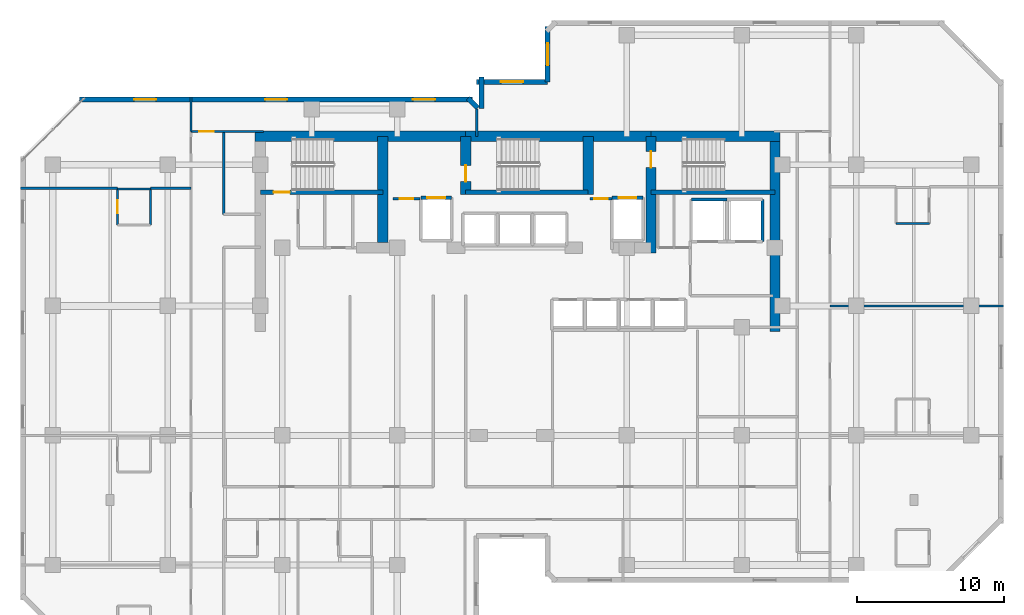
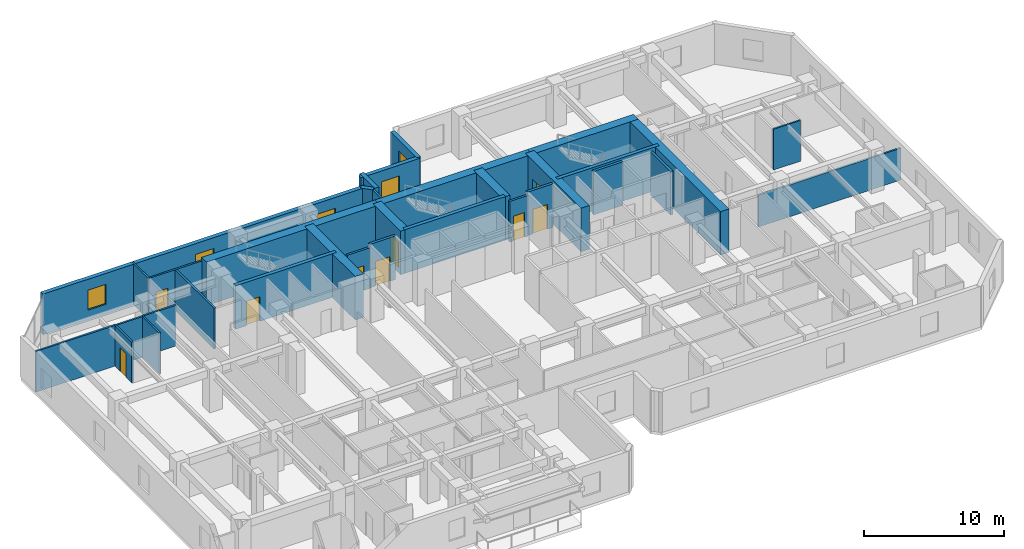
# One storey, part 8 of 11: 33 walls, 9 doors, 5 windows, 14 openings.
"""IFC4 building model written with IfcOpenShell, lengths in metres."""

from ifc_helpers import new_model, si_unit, direction, frame, frame_2d, origin, place, context, subcontext, project, spatial, rectangle, extrude, material, layer, layer_set, type_object, element, fill, save


model = new_model("IFC4")

# Units and contexts
model_context = context("Model", 3, precision=1e-05, world=origin(), true_north=direction((0.0, 1.0)))
body_context = subcontext(model_context, "Body", "Model", "MODEL_VIEW")
ifc_project = project(units=[si_unit("LENGTHUNIT", "METRE"), si_unit("AREAUNIT", "SQUARE_METRE"), si_unit("VOLUMEUNIT", "CUBIC_METRE"), si_unit("PLANEANGLEUNIT", "RADIAN"), si_unit("MASSUNIT", "GRAM", prefix="KILO")], contexts=[model_context])

# Site, building, storey
site_placement = place(None, origin())
site = spatial("IfcSite", under=ifc_project, at=site_placement, CompositionType="ELEMENT")
building_placement = place(site_placement, origin())
building = spatial("IfcBuilding", under=site, at=building_placement, Name="Kestravale Grand Hotel", CompositionType="ELEMENT")
storey_placement = place(building_placement, frame((0.0, 0.0, 168.800048828125)))
storey = spatial("IfcBuildingStorey", under=building, at=storey_placement, Name="L42", CompositionType="ELEMENT", Elevation=168.800048828125)

# Walls
ifc_material_1 = material(Name="Concrete f'c 60 MPa", Category="concrete")
ifc_layer_1 = layer(ifc_material_1, 0.699951171875)
ifc_layer_set_1 = layer_set([ifc_layer_1], Name="EW-CORE-700")
wall_type_1 = type_object("IfcWallType", Name="EW-CORE-700", PredefinedType="SHEAR", material=ifc_layer_set_1)
wall_1_placement = place(storey_placement, frame((21.550048828125, 40.320068359375, 0.0), z_axis=(0.0, 0.0, 1.0), x_axis=(1.0, 0.0, 0.0)))
element("IfcWall", 1, at=wall_1_placement, inside=storey, type_object=wall_type_1, Name="L42 core shear wall N1", PredefinedType="SHEAR", context=body_context, shape_type="SweptSolid", body=[
    extrude(rectangle(XDim=14.300048828125, YDim=0.699951171875, at=frame_2d((7.14990234375, 0.0))), origin(), (0.0, 0.0, 1.0), 3.800048828125),
])
wall_2_placement = place(storey_placement, frame((35.85009765625, 40.320068359375, 0.0), z_axis=(0.0, 0.0, 1.0), x_axis=(1.0, 0.0, 0.0)))
element("IfcWall", 2, at=wall_2_placement, inside=storey, type_object=wall_type_1, Name="L42 core shear wall N2", PredefinedType="SHEAR", context=body_context, shape_type="SweptSolid", body=[
    extrude(rectangle(XDim=12.599853515625, YDim=0.699951171875, at=frame_2d((6.2998046875, 0.0))), origin(), (0.0, 0.0, 1.0), 3.800048828125),
])
wall_3_placement = place(storey_placement, frame((48.449951171875, 40.320068359375, 0.0), z_axis=(0.0, 0.0, 1.0), x_axis=(1.0, 0.0, 0.0)))
element("IfcWall", 3, at=wall_3_placement, inside=storey, type_object=wall_type_1, Name="L42 core shear wall N3", PredefinedType="SHEAR", context=body_context, shape_type="SweptSolid", body=[
    extrude(rectangle(XDim=8.77001953125, YDim=0.699951171875, at=frame_2d((4.385009765625, 0.0))), origin(), (0.0, 0.0, 1.0), 3.800048828125),
])
wall_4_placement = place(storey_placement, frame((56.8701171875, 27.050048828125, 0.0), z_axis=(0.0, 0.0, 1.0), x_axis=(0.0, 1.0, 0.0)))
element("IfcWall", 4, at=wall_4_placement, inside=storey, type_object=wall_type_1, Name="L42 core shear wall E1", PredefinedType="SHEAR", context=body_context, shape_type="SweptSolid", body=[
    extrude(rectangle(XDim=13.619873046875, YDim=0.699951171875, at=frame_2d((6.81005859375, 0.0))), origin(), (0.0, 0.0, 1.0), 3.800048828125),
])
wall_5_placement = place(storey_placement, frame((30.219970703125, 33.10009765625, 0.0), z_axis=(0.0, 0.0, 1.0), x_axis=(0.0, 1.0, 0.0)))
element("IfcWall", 5, at=wall_5_placement, inside=storey, type_object=wall_type_1, Name="L42 core shear wall X1", PredefinedType="SHEAR", context=body_context, shape_type="SweptSolid", body=[
    extrude(rectangle(XDim=7.219970703125, YDim=0.699951171875, at=frame_2d((3.60986328125, 0.0))), origin(), (0.0, 0.0, 1.0), 3.800048828125),
])

# Wall, opening, door
wall_6_placement = place(storey_placement, frame((35.85009765625, 36.3701171875, 0.0), z_axis=(0.0, 0.0, 1.0), x_axis=(0.0, 1.0, 0.0)))
wall_6 = element("IfcWall", 6, at=wall_6_placement, inside=storey, type_object=wall_type_1, Name="L42 core shear wall X2", PredefinedType="SHEAR", context=body_context, shape_type="SweptSolid", body=[
    extrude(rectangle(XDim=3.949951171875, YDim=0.699951171875, at=frame_2d((1.97509765625, 0.0))), origin(), (0.0, 0.0, 1.0), 3.800048828125),
])
opening_1_placement = place(wall_6_placement, frame((0.8798828125, 0.0, 0.0)))
opening_1 = element("IfcOpeningElement", 7, at=opening_1_placement, cuts=wall_6, Name="Opening D-ST-1100", PredefinedType="OPENING", context=body_context, shape_type="SweptSolid", body=[
    extrude(rectangle(XDim=1.10009765625, YDim=2.14990234375, at=frame_2d((0.550048828125, 1.074951171875))), frame((0.0, 0.35986328125, 0.0), z_axis=(0.0, -1.0, 0.0), x_axis=(1.0, 0.0, 0.0)), (0.0, 0.0, 1.0), 0.719970703125),
])
ifc_material_2 = material(Name="Galvanised 90-minute fire-rated steel stair door", Category="steel")
door_type_1 = type_object("IfcDoorType", Name="D-ST-1100", OperationType="NOTDEFINED", PredefinedType="DOOR", material=ifc_material_2)
door_1_placement = place(opening_1_placement, origin())
door_1 = element("IfcDoor", 8, at=door_1_placement, inside=storey, type_object=door_type_1, Name="L42 Stair ST-2 FSAE fire door", OperationType="SINGLE_SWING_RIGHT", OverallHeight=2.14990234375, OverallWidth=1.10009765625, PredefinedType="DOOR", context=body_context, shape_type="SweptSolid", body=[
    extrude(rectangle(XDim=1.10009765625, YDim=2.14990234375, at=frame_2d((0.550048828125, 1.074951171875))), frame((0.0, 0.02490234375, 0.0), z_axis=(0.0, -1.0, 0.0), x_axis=(1.0, 0.0, 0.0)), (0.0, 0.0, 1.0), 0.050048828125),
])
fill(opening_1, door_1)

# Wall
wall_7_placement = place(storey_placement, frame((44.179931640625, 36.3701171875, 0.0), z_axis=(0.0, 0.0, 1.0), x_axis=(0.0, 1.0, 0.0)))
element("IfcWall", 9, at=wall_7_placement, inside=storey, type_object=wall_type_1, Name="L42 core shear wall X3", PredefinedType="SHEAR", context=body_context, shape_type="SweptSolid", body=[
    extrude(rectangle(XDim=3.949951171875, YDim=0.699951171875, at=frame_2d((1.97509765625, 0.0))), origin(), (0.0, 0.0, 1.0), 3.800048828125),
])

# Wall, opening, door
wall_8_placement = place(storey_placement, frame((48.449951171875, 32.39990234375, 0.0), z_axis=(0.0, 0.0, 1.0), x_axis=(0.0, 1.0, 0.0)))
wall_8 = element("IfcWall", 10, at=wall_8_placement, inside=storey, type_object=wall_type_1, Name="L42 core shear wall X4", PredefinedType="SHEAR", context=body_context, shape_type="SweptSolid", body=[
    extrude(rectangle(XDim=7.920166015625, YDim=0.699951171875, at=frame_2d((3.9599609375, 0.0))), origin(), (0.0, 0.0, 1.0), 3.800048828125),
])
opening_2_placement = place(wall_8_placement, frame((5.800048828125, 0.0, 0.0)))
opening_2 = element("IfcOpeningElement", 11, at=opening_2_placement, cuts=wall_8, Name="Opening D-ST-1100", PredefinedType="OPENING", context=body_context, shape_type="SweptSolid", body=[
    extrude(rectangle(XDim=1.10009765625, YDim=2.14990234375, at=frame_2d((0.550048828125, 1.074951171875))), frame((0.0, 0.35986328125, 0.0), z_axis=(0.0, -1.0, 0.0), x_axis=(1.0, 0.0, 0.0)), (0.0, 0.0, 1.0), 0.719970703125),
])
door_2_placement = place(opening_2_placement, origin())
door_2 = element("IfcDoor", 12, at=door_2_placement, inside=storey, type_object=door_type_1, Name="L42 Stair ST-3 FSAE fire door", OperationType="SINGLE_SWING_RIGHT", OverallHeight=2.14990234375, OverallWidth=1.10009765625, PredefinedType="DOOR", context=body_context, shape_type="SweptSolid", body=[
    extrude(rectangle(XDim=1.10009765625, YDim=2.14990234375, at=frame_2d((0.550048828125, 1.074951171875))), frame((0.0, 0.02490234375, 0.0), z_axis=(0.0, -1.0, 0.0), x_axis=(1.0, 0.0, 0.0)), (0.0, 0.0, 1.0), 0.050048828125),
])
fill(opening_2, door_2)

# Wall, opening, window
ifc_material_3 = material(Name="Precast concrete f'c 45 MPa", Category="concrete")
ifc_layer_2 = layer(ifc_material_3, 0.340087890625)
ifc_layer_set_2 = layer_set([ifc_layer_2], Name="EW-PREC-340")
wall_type_2 = type_object("IfcWallType", Name="EW-PREC-340", PredefinedType="SOLIDWALL", material=ifc_layer_set_2)
wall_9_placement = place(storey_placement, frame((41.419921875, 47.77001953125, 0.0), z_axis=(0.0, 0.0, 1.0), x_axis=(0.0, -1.0, 0.0)))
wall_9 = element("IfcWall", 13, at=wall_9_placement, inside=storey, type_object=wall_type_2, Name="L42 fluted precast facade wall 13", PredefinedType="SOLIDWALL", context=body_context, shape_type="SweptSolid", body=[
    extrude(rectangle(XDim=3.739990234375, YDim=0.340087890625, at=frame_2d((1.8701171875, 0.0))), origin(), (0.0, 0.0, 1.0), 3.550048828125),
])
opening_3_placement = place(wall_9_placement, frame((1.1201171875, 0.0, 0.85009765625)))
opening_3 = element("IfcOpeningElement", 14, at=opening_3_placement, cuts=wall_9, Name="Opening W-GUEST-1500", PredefinedType="OPENING", context=body_context, shape_type="SweptSolid", body=[
    extrude(rectangle(XDim=1.5, YDim=1.75, at=frame_2d((0.75, 0.875))), frame((0.0, 0.179931640625, 0.0), z_axis=(0.0, -1.0, 0.0), x_axis=(1.0, 0.0, 0.0)), (0.0, 0.0, 1.0), 0.360107421875),
])
ifc_material_4 = material(Name="Insulated low-E double glazing in aluminium frame", Category="aluminium")
window_type = type_object("IfcWindowType", Name="W-GUEST-1500", PartitioningType="SINGLE_PANEL", PredefinedType="WINDOW", material=ifc_material_4)
window_1_placement = place(opening_3_placement, origin())
window_1 = element("IfcWindow", 15, at=window_1_placement, inside=storey, type_object=window_type, Name="L42 exterior window 13.1", OverallHeight=1.75, OverallWidth=1.5, PartitioningType="SINGLE_PANEL", PredefinedType="WINDOW", context=body_context, shape_type="SweptSolid", body=[
    extrude(rectangle(XDim=1.5, YDim=1.75, at=frame_2d((0.75, 0.875))), frame((0.0, 0.030029296875, 0.0), z_axis=(0.0, -1.0, 0.0), x_axis=(1.0, 0.0, 0.0)), (0.0, 0.0, 1.0), 0.06005859375),
])
fill(opening_3, window_1)

wall_10_placement = place(storey_placement, frame((41.419921875, 44.030029296875, 0.0), z_axis=(0.0, 0.0, 1.0), x_axis=(-1.0, 0.0, 0.0)))
wall_10 = element("IfcWall", 16, at=wall_10_placement, inside=storey, type_object=wall_type_2, Name="L42 fluted precast facade wall 14", PredefinedType="SOLIDWALL", context=body_context, shape_type="SweptSolid", body=[
    extrude(rectangle(XDim=4.83984375, YDim=0.340087890625, at=frame_2d((2.419921875, 0.0))), origin(), (0.0, 0.0, 1.0), 3.550048828125),
])
opening_4_placement = place(wall_10_placement, frame((1.669921875, 0.0, 0.85009765625)))
opening_4 = element("IfcOpeningElement", 17, at=opening_4_placement, cuts=wall_10, Name="Opening W-GUEST-1500", PredefinedType="OPENING", context=body_context, shape_type="SweptSolid", body=[
    extrude(rectangle(XDim=1.5, YDim=1.75, at=frame_2d((0.75, 0.875))), frame((0.0, 0.179931640625, 0.0), z_axis=(0.0, -1.0, 0.0), x_axis=(1.0, 0.0, 0.0)), (0.0, 0.0, 1.0), 0.360107421875),
])
window_2_placement = place(opening_4_placement, origin())
window_2 = element("IfcWindow", 18, at=window_2_placement, inside=storey, type_object=window_type, Name="L42 exterior window 14.1", OverallHeight=1.75, OverallWidth=1.5, PartitioningType="SINGLE_PANEL", PredefinedType="WINDOW", context=body_context, shape_type="SweptSolid", body=[
    extrude(rectangle(XDim=1.5, YDim=1.75, at=frame_2d((0.75, 0.875))), frame((0.0, 0.030029296875, 0.0), z_axis=(0.0, -1.0, 0.0), x_axis=(1.0, 0.0, 0.0)), (0.0, 0.0, 1.0), 0.06005859375),
])
fill(opening_4, window_2)

# Walls
wall_11_placement = place(storey_placement, frame((36.919921875, 44.3701171875, 0.0), z_axis=(0.0, 0.0, 1.0), x_axis=(0.0, -1.0, 0.0)))
element("IfcWall", 19, at=wall_11_placement, inside=storey, type_object=wall_type_2, Name="L42 fluted precast facade wall 15", PredefinedType="SOLIDWALL", context=body_context, shape_type="SweptSolid", body=[
    extrude(rectangle(XDim=2.14013671875, YDim=0.340087890625, at=frame_2d((1.070068359375, 0.0))), origin(), (0.0, 0.0, 1.0), 3.550048828125),
])
wall_12_placement = place(storey_placement, frame((36.658203125, 42.25146484375, 0.0), z_axis=(0.0, 0.0, 1.0), x_axis=(-0.707106781187, 0.707106781187, 0.0)))
element("IfcWall", 20, at=wall_12_placement, inside=storey, type_object=wall_type_2, Name="L42 fluted precast facade wall 16", PredefinedType="SOLIDWALL", context=body_context, shape_type="SweptSolid", body=[
    extrude(rectangle(XDim=0.9287109375, YDim=0.340087890625, at=frame_2d((0.46435546875, 0.0))), origin(), (0.0, 0.0, 1.0), 3.550048828125),
])

# Wall, openings, windows
wall_13_placement = place(storey_placement, frame((36.320068359375, 42.830078125, 0.0), z_axis=(0.0, 0.0, 1.0), x_axis=(-1.0, 0.0, 0.0)))
wall_13 = element("IfcWall", 21, at=wall_13_placement, inside=storey, type_object=wall_type_2, Name="L42 fluted precast facade wall 17", PredefinedType="SOLIDWALL", context=body_context, shape_type="SweptSolid", body=[
    extrude(rectangle(XDim=26.690185546875, YDim=0.340087890625, at=frame_2d((13.34521484375, 0.0))), origin(), (0.0, 0.0, 1.0), 3.550048828125),
])
opening_5_placement = place(wall_13_placement, frame((2.54833984375, 0.0, 0.85009765625)))
opening_5 = element("IfcOpeningElement", 22, at=opening_5_placement, cuts=wall_13, Name="Opening W-GUEST-1500", PredefinedType="OPENING", context=body_context, shape_type="SweptSolid", body=[
    extrude(rectangle(XDim=1.5, YDim=1.75, at=frame_2d((0.75, 0.875))), frame((0.0, 0.179931640625, 0.0), z_axis=(0.0, -1.0, 0.0), x_axis=(1.0, 0.0, 0.0)), (0.0, 0.0, 1.0), 0.360107421875),
])
opening_6_placement = place(wall_13_placement, frame((12.594970703125, 0.0, 0.85009765625)))
opening_6 = element("IfcOpeningElement", 23, at=opening_6_placement, cuts=wall_13, Name="Opening W-GUEST-1500", PredefinedType="OPENING", context=body_context, shape_type="SweptSolid", body=[
    extrude(rectangle(XDim=1.5, YDim=1.75, at=frame_2d((0.75, 0.875))), frame((0.0, 0.179931640625, 0.0), z_axis=(0.0, -1.0, 0.0), x_axis=(1.0, 0.0, 0.0)), (0.0, 0.0, 1.0), 0.360107421875),
])
opening_7_placement = place(wall_13_placement, frame((21.49169921875, 0.0, 0.85009765625)))
opening_7 = element("IfcOpeningElement", 24, at=opening_7_placement, cuts=wall_13, Name="Opening W-GUEST-1500", PredefinedType="OPENING", context=body_context, shape_type="SweptSolid", body=[
    extrude(rectangle(XDim=1.5, YDim=1.75, at=frame_2d((0.75, 0.875))), frame((0.0, 0.179931640625, 0.0), z_axis=(0.0, -1.0, 0.0), x_axis=(1.0, 0.0, 0.0)), (0.0, 0.0, 1.0), 0.360107421875),
])
window_3_placement = place(opening_5_placement, origin())
window_3 = element("IfcWindow", 25, at=window_3_placement, inside=storey, type_object=window_type, Name="L42 exterior window 17.1", OverallHeight=1.75, OverallWidth=1.5, PartitioningType="SINGLE_PANEL", PredefinedType="WINDOW", context=body_context, shape_type="SweptSolid", body=[
    extrude(rectangle(XDim=1.5, YDim=1.75, at=frame_2d((0.75, 0.875))), frame((0.0, 0.030029296875, 0.0), z_axis=(0.0, -1.0, 0.0), x_axis=(1.0, 0.0, 0.0)), (0.0, 0.0, 1.0), 0.06005859375),
])
fill(opening_5, window_3)
window_4_placement = place(opening_6_placement, origin())
window_4 = element("IfcWindow", 26, at=window_4_placement, inside=storey, type_object=window_type, Name="L42 exterior window 17.2", OverallHeight=1.75, OverallWidth=1.5, PartitioningType="SINGLE_PANEL", PredefinedType="WINDOW", context=body_context, shape_type="SweptSolid", body=[
    extrude(rectangle(XDim=1.5, YDim=1.75, at=frame_2d((0.75, 0.875))), frame((0.0, 0.030029296875, 0.0), z_axis=(0.0, -1.0, 0.0), x_axis=(1.0, 0.0, 0.0)), (0.0, 0.0, 1.0), 0.06005859375),
])
fill(opening_6, window_4)
window_5_placement = place(opening_7_placement, origin())
window_5 = element("IfcWindow", 27, at=window_5_placement, inside=storey, type_object=window_type, Name="L42 exterior window 17.3", OverallHeight=1.75, OverallWidth=1.5, PartitioningType="SINGLE_PANEL", PredefinedType="WINDOW", context=body_context, shape_type="SweptSolid", body=[
    extrude(rectangle(XDim=1.5, YDim=1.75, at=frame_2d((0.75, 0.875))), frame((0.0, 0.030029296875, 0.0), z_axis=(0.0, -1.0, 0.0), x_axis=(1.0, 0.0, 0.0)), (0.0, 0.0, 1.0), 0.06005859375),
])
fill(opening_7, window_5)

# Wall, opening, door
ifc_material_5 = material(Name="Concrete f'c 45 MPa", Category="concrete")
ifc_layer_3 = layer(ifc_material_5, 0.300048828125)
ifc_layer_set_3 = layer_set([ifc_layer_3], Name="EW-STAIR-300")
wall_type_3 = type_object("IfcWallType", Name="EW-STAIR-300", PredefinedType="SHEAR", material=ifc_layer_set_3)
wall_14_placement = place(storey_placement, frame((21.89990234375, 36.52001953125, 0.0), z_axis=(0.0, 0.0, 1.0), x_axis=(1.0, 0.0, 0.0)))
wall_14 = element("IfcWall", 28, at=wall_14_placement, inside=storey, type_object=wall_type_3, Name="L42 stair enclosure shear wall SST1", PredefinedType="SHEAR", context=body_context, shape_type="SweptSolid", body=[
    extrude(rectangle(XDim=8.320068359375, YDim=0.300048828125, at=frame_2d((4.16015625, 0.0))), origin(), (0.0, 0.0, 1.0), 3.800048828125),
])
opening_8_placement = place(wall_14_placement, frame((0.89990234375, 0.0, 0.0)))
opening_8 = element("IfcOpeningElement", 29, at=opening_8_placement, cuts=wall_14, Name="Opening D-ST-1100", PredefinedType="OPENING", context=body_context, shape_type="SweptSolid", body=[
    extrude(rectangle(XDim=1.10009765625, YDim=2.14990234375, at=frame_2d((0.550048828125, 1.074951171875))), frame((0.0, 0.159912109375, 0.0), z_axis=(0.0, -1.0, 0.0), x_axis=(1.0, 0.0, 0.0)), (0.0, 0.0, 1.0), 0.320068359375),
])
door_3_placement = place(opening_8_placement, origin())
door_3 = element("IfcDoor", 30, at=door_3_placement, inside=storey, type_object=door_type_1, Name="L42 Stair ST-1 fire door", OperationType="SINGLE_SWING_RIGHT", OverallHeight=2.14990234375, OverallWidth=1.10009765625, PredefinedType="DOOR", context=body_context, shape_type="SweptSolid", body=[
    extrude(rectangle(XDim=1.10009765625, YDim=2.14990234375, at=frame_2d((0.550048828125, 1.074951171875))), frame((0.0, 0.02490234375, 0.0), z_axis=(0.0, -1.0, 0.0), x_axis=(1.0, 0.0, 0.0)), (0.0, 0.0, 1.0), 0.050048828125),
])
fill(opening_8, door_3)

# Walls
wall_15_placement = place(storey_placement, frame((35.85009765625, 36.52001953125, 0.0), z_axis=(0.0, 0.0, 1.0), x_axis=(1.0, 0.0, 0.0)))
element("IfcWall", 31, at=wall_15_placement, inside=storey, type_object=wall_type_3, Name="L42 stair enclosure shear wall SST2", PredefinedType="SHEAR", context=body_context, shape_type="SweptSolid", body=[
    extrude(rectangle(XDim=8.329833984375, YDim=0.300048828125, at=frame_2d((4.1650390625, 0.0))), origin(), (0.0, 0.0, 1.0), 3.800048828125),
])
wall_16_placement = place(storey_placement, frame((48.449951171875, 36.52001953125, 0.0), z_axis=(0.0, 0.0, 1.0), x_axis=(1.0, 0.0, 0.0)))
element("IfcWall", 32, at=wall_16_placement, inside=storey, type_object=wall_type_3, Name="L42 stair enclosure shear wall SST3", PredefinedType="SHEAR", context=body_context, shape_type="SweptSolid", body=[
    extrude(rectangle(XDim=8.420166015625, YDim=0.300048828125, at=frame_2d((4.2099609375, 0.0))), origin(), (0.0, 0.0, 1.0), 3.800048828125),
])
ifc_material_6 = material(Name="Acoustic fire-rated gypsum board partition", Category="other")
ifc_layer_4 = layer(ifc_material_6, 0.159912109375)
ifc_layer_set_4 = layer_set([ifc_layer_4], Name="IW-CORR-160")
wall_type_4 = type_object("IfcWallType", Name="IW-CORR-160", PredefinedType="PARTITIONING", material=ifc_layer_set_4)
wall_17_placement = place(storey_placement, frame((19.409912109375, 35.02001953125, 0.0), z_axis=(0.0, 0.0, 1.0), x_axis=(0.0, 1.0, 0.0)))
element("IfcWall", 33, at=wall_17_placement, inside=storey, type_object=wall_type_4, Name="W-L42-SW-EN", PredefinedType="PARTITIONING", context=body_context, shape_type="SweptSolid", body=[
    extrude(rectangle(XDim=5.6298828125, YDim=0.159912109375, at=frame_2d((2.81494140625, 0.0))), origin(), (0.0, 0.0, 1.0), 3.550048828125),
])

# Wall, opening, door
ifc_material_7 = material(Name="Fire-rated gypsum board on steel studs with mineral wool", Category="steel")
ifc_layer_5 = layer(ifc_material_7, 0.179931640625)
ifc_layer_set_5 = layer_set([ifc_layer_5], Name="IW-FSAE-180")
wall_type_5 = type_object("IfcWallType", Name="IW-FSAE-180", PredefinedType="PARTITIONING", material=ifc_layer_set_5)
wall_18_placement = place(storey_placement, frame((30.89990234375, 36.080078125, 0.0), z_axis=(0.0, 0.0, 1.0), x_axis=(1.0, 0.0, 0.0)))
wall_18 = element("IfcWall", 34, at=wall_18_placement, inside=storey, type_object=wall_type_5, Name="L42 FSAE Lobby 1 smoke barrier", PredefinedType="PARTITIONING", context=body_context, shape_type="SweptSolid", body=[
    extrude(rectangle(XDim=1.85009765625, YDim=0.179931640625, at=frame_2d((0.925048828125, 0.0))), origin(), (0.0, 0.0, 1.0), 3.550048828125),
])
opening_9_placement = place(wall_18_placement, frame((0.47998046875, 0.0, 0.0)))
opening_9 = element("IfcOpeningElement", 35, at=opening_9_placement, cuts=wall_18, Name="Opening D-FSAE-1000", PredefinedType="OPENING", context=body_context, shape_type="SweptSolid", body=[
    extrude(rectangle(XDim=0.89990234375, YDim=2.14990234375, at=frame_2d((0.449951171875, 1.074951171875))), frame((0.0, 0.099853515625, 0.0), z_axis=(0.0, -1.0, 0.0), x_axis=(1.0, 0.0, 0.0)), (0.0, 0.0, 1.0), 0.199951171875),
])
ifc_material_8 = material(Name="Smoke-gasketed FSAE lobby fire door", Category="steel")
door_type_2 = type_object("IfcDoorType", Name="D-FSAE-1000", OperationType="NOTDEFINED", PredefinedType="DOOR", material=ifc_material_8)
door_4_placement = place(opening_9_placement, origin())
door_4 = element("IfcDoor", 36, at=door_4_placement, inside=storey, type_object=door_type_2, Name="L42 FSAE Lobby 1 fire door", OperationType="SINGLE_SWING_RIGHT", OverallHeight=2.14990234375, OverallWidth=0.89990234375, PredefinedType="DOOR", context=body_context, shape_type="SweptSolid", body=[
    extrude(rectangle(XDim=0.89990234375, YDim=2.14990234375, at=frame_2d((0.449951171875, 1.074951171875))), frame((0.0, 0.02490234375, 0.0), z_axis=(0.0, -1.0, 0.0), x_axis=(1.0, 0.0, 0.0)), (0.0, 0.0, 1.0), 0.050048828125),
])
fill(opening_9, door_4)

wall_19_placement = place(storey_placement, frame((44.300048828125, 36.080078125, 0.0), z_axis=(0.0, 0.0, 1.0), x_axis=(1.0, 0.0, 0.0)))
wall_19 = element("IfcWall", 37, at=wall_19_placement, inside=storey, type_object=wall_type_5, Name="L42 FSAE Lobby 2 smoke barrier", PredefinedType="PARTITIONING", context=body_context, shape_type="SweptSolid", body=[
    extrude(rectangle(XDim=1.5, YDim=0.179931640625, at=frame_2d((0.75, 0.0))), origin(), (0.0, 0.0, 1.0), 3.550048828125),
])
opening_10_placement = place(wall_19_placement, frame((0.300048828125, 0.0, 0.0)))
opening_10 = element("IfcOpeningElement", 38, at=opening_10_placement, cuts=wall_19, Name="Opening D-FSAE-1000", PredefinedType="OPENING", context=body_context, shape_type="SweptSolid", body=[
    extrude(rectangle(XDim=0.89990234375, YDim=2.14990234375, at=frame_2d((0.449951171875, 1.074951171875))), frame((0.0, 0.099853515625, 0.0), z_axis=(0.0, -1.0, 0.0), x_axis=(1.0, 0.0, 0.0)), (0.0, 0.0, 1.0), 0.199951171875),
])
door_5_placement = place(opening_10_placement, origin())
door_5 = element("IfcDoor", 39, at=door_5_placement, inside=storey, type_object=door_type_2, Name="L42 FSAE Lobby 2 fire door", OperationType="SINGLE_SWING_LEFT", OverallHeight=2.14990234375, OverallWidth=0.89990234375, PredefinedType="DOOR", context=body_context, shape_type="SweptSolid", body=[
    extrude(rectangle(XDim=0.89990234375, YDim=2.14990234375, at=frame_2d((0.449951171875, 1.074951171875))), frame((0.0, 0.02490234375, 0.0), z_axis=(0.0, -1.0, 0.0), x_axis=(1.0, 0.0, 0.0)), (0.0, 0.0, 1.0), 0.050048828125),
])
fill(opening_10, door_5)

ifc_material_9 = material(Name="Moisture-resistant tile-backer plumbing chase wall", Category="other")
ifc_layer_6 = layer(ifc_material_9, 0.139892578125)
ifc_layer_set_6 = layer_set([ifc_layer_6], Name="IW-PLB-140")
wall_type_6 = type_object("IfcWallType", Name="IW-PLB-140", PredefinedType="PLUMBINGWALL", material=ifc_layer_set_6)
wall_20_placement = place(storey_placement, frame((12.199951171875, 34.31005859375, 0.0), z_axis=(0.0, 0.0, 1.0), x_axis=(0.0, 1.0, 0.0)))
wall_20 = element("IfcWall", 40, at=wall_20_placement, inside=storey, type_object=wall_type_6, Name="W-L42-U05-BW", PredefinedType="PLUMBINGWALL", context=body_context, shape_type="SweptSolid", body=[
    extrude(rectangle(XDim=2.449951171875, YDim=0.139892578125, at=frame_2d((1.22509765625, 0.0))), origin(), (0.0, 0.0, 1.0), 3.550048828125),
])
opening_11_placement = place(wall_20_placement, frame((0.784912109375, 0.0, 0.0)))
opening_11 = element("IfcOpeningElement", 41, at=opening_11_placement, cuts=wall_20, Name="Opening D-BATH-880", PredefinedType="OPENING", context=body_context, shape_type="SweptSolid", body=[
    extrude(rectangle(XDim=0.8798828125, YDim=2.050048828125, at=frame_2d((0.43994140625, 1.02490234375))), frame((0.0, 0.079833984375, 0.0), z_axis=(0.0, -1.0, 0.0), x_axis=(1.0, 0.0, 0.0)), (0.0, 0.0, 1.0), 0.159912109375),
])
ifc_material_10 = material(Name="Moisture-sealed walnut en-suite bathroom door", Category="wood")
door_type_3 = type_object("IfcDoorType", Name="D-BATH-880", OperationType="NOTDEFINED", PredefinedType="DOOR", material=ifc_material_10)
door_6_placement = place(opening_11_placement, origin())
door_6 = element("IfcDoor", 42, at=door_6_placement, inside=storey, type_object=door_type_3, Name="D-L42-U05-BATH", OperationType="SINGLE_SWING_LEFT", OverallHeight=2.050048828125, OverallWidth=0.8798828125, PredefinedType="DOOR", context=body_context, shape_type="SweptSolid", body=[
    extrude(rectangle(XDim=0.8798828125, YDim=2.050048828125, at=frame_2d((0.43994140625, 1.02490234375))), frame((0.0, 0.02490234375, 0.0), z_axis=(0.0, -1.0, 0.0), x_axis=(1.0, 0.0, 0.0)), (0.0, 0.0, 1.0), 0.050048828125),
])
fill(opening_11, door_6)

# Walls
wall_21_placement = place(storey_placement, frame((14.449951171875, 34.31005859375, 0.0), z_axis=(0.0, 0.0, 1.0), x_axis=(0.0, 1.0, 0.0)))
element("IfcWall", 43, at=wall_21_placement, inside=storey, type_object=wall_type_6, Name="W-L42-U05-BE", PredefinedType="PLUMBINGWALL", context=body_context, shape_type="SweptSolid", body=[
    extrude(rectangle(XDim=2.449951171875, YDim=0.139892578125, at=frame_2d((1.22509765625, 0.0))), origin(), (0.0, 0.0, 1.0), 3.550048828125),
])
for number, where, z_axis, x_axis, name in (
    (44, (12.199951171875, 36.760009765625, 0.0), (0.0, 0.0, 1.0), (1.0, 0.0, 0.0), "W-L42-U05-BN"),
    (45, (65.10009765625, 34.409912109375, 0.0), (0.0, 0.0, 1.0), (1.0, 0.0, 0.0), "W-L42-U08-BS"),
):
    element("IfcWall", number, at=place(storey_placement, frame(where, z_axis=z_axis, x_axis=x_axis)), inside=storey, type_object=wall_type_6, Name=name, PredefinedType="PLUMBINGWALL", context=body_context, shape_type="SweptSolid", body=[
        extrude(rectangle(XDim=2.25, YDim=0.139892578125, at=frame_2d((1.125, 0.0))), origin(), (0.0, 0.0, 1.0), 3.550048828125),
    ])
ifc_material_11 = material(Name="Concrete f'c 45 MPa", Category="concrete")
ifc_layer_7 = layer(ifc_material_11, 0.199951171875)
ifc_layer_set_7 = layer_set([ifc_layer_7], Name="IW-SHAFT-200")
wall_type_7 = type_object("IfcWallType", Name="IW-SHAFT-200", PredefinedType="SHEAR", material=ifc_layer_set_7)
wall_22_placement = place(storey_placement, frame((56.02001953125, 33.169921875, 0.0), z_axis=(0.0, 0.0, 1.0), x_axis=(0.0, 1.0, 0.0)))
element("IfcWall", 46, at=wall_22_placement, inside=storey, type_object=wall_type_7, Name="L42 SL-2 east shaft wall", PredefinedType="SHEAR", context=body_context, shape_type="SweptSolid", body=[
    extrude(rectangle(XDim=2.860107421875, YDim=0.199951171875, at=frame_2d((1.43017578125, 0.0))), origin(), (0.0, 0.0, 1.0), 3.800048828125),
])
ifc_material_12 = material(Name="Concrete f'c 45 MPa", Category="concrete")
ifc_layer_8 = layer(ifc_material_12, 0.219970703125)
ifc_layer_set_8 = layer_set([ifc_layer_8], Name="IW-SHAFT-220")
wall_type_8 = type_object("IfcWallType", Name="IW-SHAFT-220", PredefinedType="SHEAR", material=ifc_layer_set_8)
wall_23_placement = place(storey_placement, frame((51.179931640625, 36.030029296875, 0.0), z_axis=(0.0, 0.0, 1.0), x_axis=(1.0, 0.0, 0.0)))
element("IfcWall", 47, at=wall_23_placement, inside=storey, type_object=wall_type_8, Name="L42 SL-1 north shaft wall", PredefinedType="SHEAR", context=body_context, shape_type="SweptSolid", body=[
    extrude(rectangle(XDim=2.420166015625, YDim=0.219970703125, at=frame_2d((1.2099609375, 0.0))), origin(), (0.0, 0.0, 1.0), 3.800048828125),
])

# Wall, opening, door
wall_24_placement = place(storey_placement, frame((32.804931640625, 36.155029296875, 0.0), z_axis=(0.0, 0.0, 1.0), x_axis=(1.0, 0.0, 0.0)))
wall_24 = element("IfcWall", 48, at=wall_24_placement, inside=storey, type_object=wall_type_8, Name="L42 FL-1 north shaft wall", PredefinedType="SHEAR", context=body_context, shape_type="SweptSolid", body=[
    extrude(rectangle(XDim=2.090087890625, YDim=0.219970703125, at=frame_2d((1.044921875, 0.0))), origin(), (0.0, 0.0, 1.0), 3.800048828125),
])
opening_12_placement = place(wall_24_placement, frame((0.445068359375, 0.0, 0.0)))
opening_12 = element("IfcOpeningElement", 49, at=opening_12_placement, cuts=wall_24, Name="Opening LD-FSAE-1200", PredefinedType="OPENING", context=body_context, shape_type="SweptSolid", body=[
    extrude(rectangle(XDim=1.199951171875, YDim=2.14990234375, at=frame_2d((0.60009765625, 1.074951171875))), frame((0.0, 0.119873046875, 0.0), z_axis=(0.0, -1.0, 0.0), x_axis=(1.0, 0.0, 0.0)), (0.0, 0.0, 1.0), 0.239990234375),
])
ifc_material_13 = material(Name="Stainless fire-service sliding elevator landing door", Category="steel")
door_type_4 = type_object("IfcDoorType", Name="LD-FSAE-1200", OperationType="NOTDEFINED", PredefinedType="DOOR", material=ifc_material_13)
door_7_placement = place(opening_12_placement, origin())
door_7 = element("IfcDoor", 50, at=door_7_placement, inside=storey, type_object=door_type_4, Name="L42 FL-1 elevator landing sliding door", OperationType="DOUBLE_DOOR_SLIDING", OverallHeight=2.14990234375, OverallWidth=1.199951171875, PredefinedType="DOOR", context=body_context, shape_type="SweptSolid", body=[
    extrude(rectangle(XDim=1.199951171875, YDim=2.14990234375, at=frame_2d((0.60009765625, 1.074951171875))), frame((0.0, 0.02490234375, 0.0), z_axis=(0.0, -1.0, 0.0), x_axis=(1.0, 0.0, 0.0)), (0.0, 0.0, 1.0), 0.050048828125),
])
fill(opening_12, door_7)

wall_25_placement = place(storey_placement, frame((45.804931640625, 36.155029296875, 0.0), z_axis=(0.0, 0.0, 1.0), x_axis=(1.0, 0.0, 0.0)))
wall_25 = element("IfcWall", 51, at=wall_25_placement, inside=storey, type_object=wall_type_8, Name="L42 FL-2 north shaft wall", PredefinedType="SHEAR", context=body_context, shape_type="SweptSolid", body=[
    extrude(rectangle(XDim=2.090087890625, YDim=0.219970703125, at=frame_2d((1.044921875, 0.0))), origin(), (0.0, 0.0, 1.0), 3.800048828125),
])
opening_13_placement = place(wall_25_placement, frame((0.445068359375, 0.0, 0.0)))
opening_13 = element("IfcOpeningElement", 52, at=opening_13_placement, cuts=wall_25, Name="Opening LD-FSAE-1200", PredefinedType="OPENING", context=body_context, shape_type="SweptSolid", body=[
    extrude(rectangle(XDim=1.199951171875, YDim=2.14990234375, at=frame_2d((0.60009765625, 1.074951171875))), frame((0.0, 0.119873046875, 0.0), z_axis=(0.0, -1.0, 0.0), x_axis=(1.0, 0.0, 0.0)), (0.0, 0.0, 1.0), 0.239990234375),
])
door_8_placement = place(opening_13_placement, origin())
door_8 = element("IfcDoor", 53, at=door_8_placement, inside=storey, type_object=door_type_4, Name="L42 FL-2 elevator landing sliding door", OperationType="DOUBLE_DOOR_SLIDING", OverallHeight=2.14990234375, OverallWidth=1.199951171875, PredefinedType="DOOR", context=body_context, shape_type="SweptSolid", body=[
    extrude(rectangle(XDim=1.199951171875, YDim=2.14990234375, at=frame_2d((0.60009765625, 1.074951171875))), frame((0.0, 0.02490234375, 0.0), z_axis=(0.0, -1.0, 0.0), x_axis=(1.0, 0.0, 0.0)), (0.0, 0.0, 1.0), 0.050048828125),
])
fill(opening_13, door_8)

ifc_material_14 = material(Name="Double-stud STC 52 acoustic demising partition", Category="other")
ifc_layer_9 = layer(ifc_material_14, 0.14990234375)
ifc_layer_set_9 = layer_set([ifc_layer_9], Name="IW-UNIT-150")
wall_type_9 = type_object("IfcWallType", Name="IW-UNIT-150", PredefinedType="PARTITIONING", material=ifc_layer_set_9)
wall_26_placement = place(storey_placement, frame((17.18994140625, 40.64990234375, 0.0), z_axis=(0.0, 0.0, 1.0), x_axis=(1.0, 0.0, 0.0)))
wall_26 = element("IfcWall", 54, at=wall_26_placement, inside=storey, type_object=wall_type_9, Name="W-L42-SW-N", PredefinedType="PARTITIONING", context=body_context, shape_type="SweptSolid", body=[
    extrude(rectangle(XDim=4.91015625, YDim=0.14990234375, at=frame_2d((2.455078125, 0.0))), origin(), (0.0, 0.0, 1.0), 3.550048828125),
])
opening_14_placement = place(wall_26_placement, frame((0.550048828125, 0.0, 0.0)))
opening_14 = element("IfcOpeningElement", 55, at=opening_14_placement, cuts=wall_26, Name="Opening D-GUEST-1000", PredefinedType="OPENING", context=body_context, shape_type="SweptSolid", body=[
    extrude(rectangle(XDim=1.0, YDim=2.14990234375, at=frame_2d((0.5, 1.074951171875))), frame((0.0, 0.0849609375, 0.0), z_axis=(0.0, -1.0, 0.0), x_axis=(1.0, 0.0, 0.0)), (0.0, 0.0, 1.0), 0.169921875),
])
ifc_material_15 = material(Name="Accessible walnut veneer hotel entrance fire door", Category="wood")
door_type_5 = type_object("IfcDoorType", Name="D-GUEST-1000", OperationType="NOTDEFINED", PredefinedType="DOOR", material=ifc_material_15)
door_9_placement = place(opening_14_placement, origin())
door_9 = element("IfcDoor", 56, at=door_9_placement, inside=storey, type_object=door_type_5, Name="L42 NW Gallery Door", OperationType="SINGLE_SWING_RIGHT", OverallHeight=2.14990234375, OverallWidth=1.0, PredefinedType="DOOR", context=body_context, shape_type="SweptSolid", body=[
    extrude(rectangle(XDim=1.0, YDim=2.14990234375, at=frame_2d((0.5, 1.074951171875))), frame((0.0, 0.02490234375, 0.0), z_axis=(0.0, -1.0, 0.0), x_axis=(1.0, 0.0, 0.0)), (0.0, 0.0, 1.0), 0.050048828125),
])
fill(opening_14, door_9)

# Walls
wall_27_placement = place(storey_placement, frame((17.18994140625, 40.64990234375, 0.0), z_axis=(0.0, 0.0, 1.0), x_axis=(0.0, 1.0, 0.0)))
element("IfcWall", 57, at=wall_27_placement, inside=storey, type_object=wall_type_9, Name="W-L42-NGW-W", PredefinedType="PARTITIONING", context=body_context, shape_type="SweptSolid", body=[
    extrude(rectangle(XDim=2.330078125, YDim=0.14990234375, at=frame_2d((1.1650390625, 0.0))), origin(), (0.0, 0.0, 1.0), 3.550048828125),
])
wall_28_placement = place(storey_placement, frame((36.60009765625, 40.320068359375, 0.0), z_axis=(0.0, 0.0, 1.0), x_axis=(0.0, 1.0, 0.0)))
element("IfcWall", 58, at=wall_28_placement, inside=storey, type_object=wall_type_9, Name="W-L42-NGM", PredefinedType="PARTITIONING", context=body_context, shape_type="SweptSolid", body=[
    extrude(rectangle(XDim=1.844970703125, YDim=0.14990234375, at=frame_2d((0.92236328125, 0.0))), origin(), (0.0, 0.0, 1.0), 3.550048828125),
])
wall_29_placement = place(storey_placement, frame((5.6201171875, 36.800048828125, 0.0), z_axis=(0.0, 0.0, 1.0), x_axis=(1.0, 0.0, 0.0)))
element("IfcWall", 59, at=wall_29_placement, inside=storey, type_object=wall_type_9, Name="W-L42-WW-3", PredefinedType="PARTITIONING", context=body_context, shape_type="SweptSolid", body=[
    extrude(rectangle(XDim=6.579833984375, YDim=0.14990234375, at=frame_2d((3.2900390625, 0.0))), origin(), (0.0, 0.0, 1.0), 3.550048828125),
])
wall_30_placement = place(storey_placement, frame((14.449951171875, 36.800048828125, 0.0), z_axis=(0.0, 0.0, 1.0), x_axis=(1.0, 0.0, 0.0)))
element("IfcWall", 60, at=wall_30_placement, inside=storey, type_object=wall_type_9, Name="W-L42-WW-3", PredefinedType="PARTITIONING", context=body_context, shape_type="SweptSolid", body=[
    extrude(rectangle(XDim=2.739990234375, YDim=0.14990234375, at=frame_2d((1.3701171875, 0.0))), origin(), (0.0, 0.0, 1.0), 3.550048828125),
])
wall_31_placement = place(storey_placement, frame((60.610107421875, 28.800048828125, 0.0), z_axis=(0.0, 0.0, 1.0), x_axis=(1.0, 0.0, 0.0)))
element("IfcWall", 61, at=wall_31_placement, inside=storey, type_object=wall_type_9, Name="W-L42-EW-2", PredefinedType="PARTITIONING", context=body_context, shape_type="SweptSolid", body=[
    extrude(rectangle(XDim=11.769775390625, YDim=0.14990234375, at=frame_2d((5.884765625, 0.0))), origin(), (0.0, 0.0, 1.0), 2.77783203125),
])

save(model, "model.ifc")
